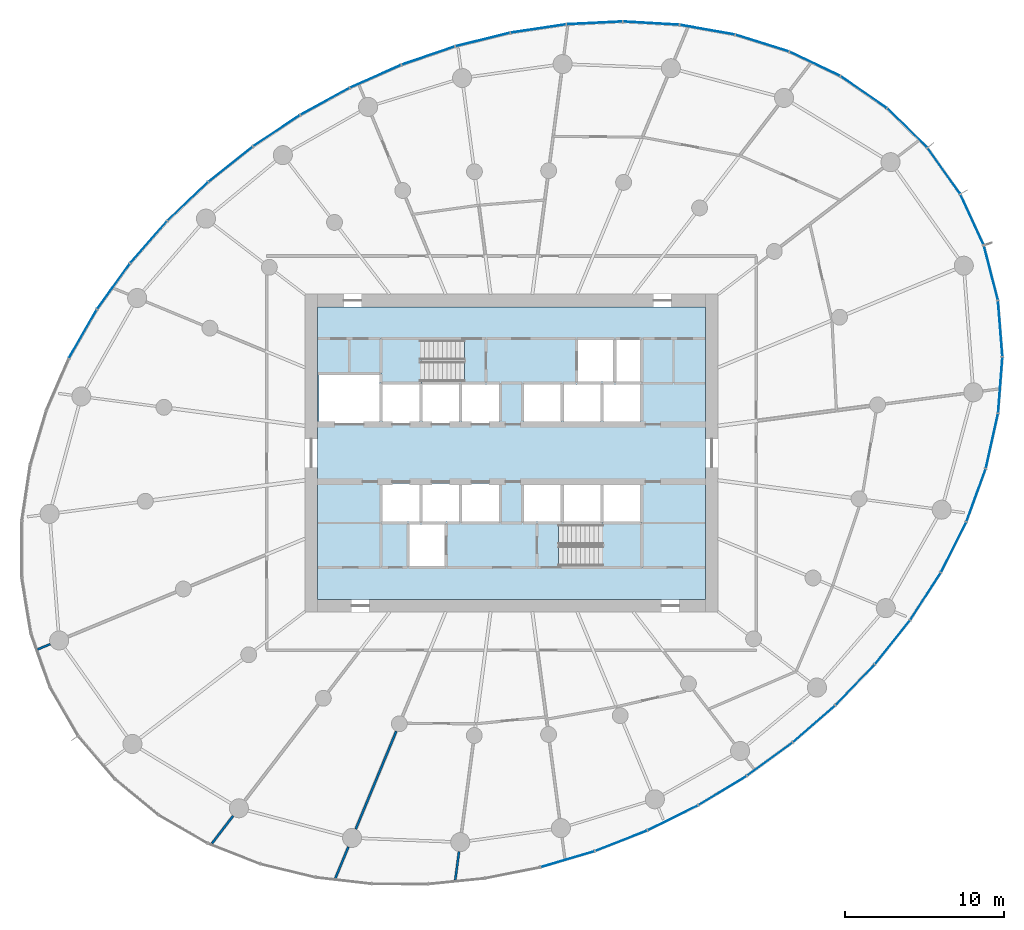
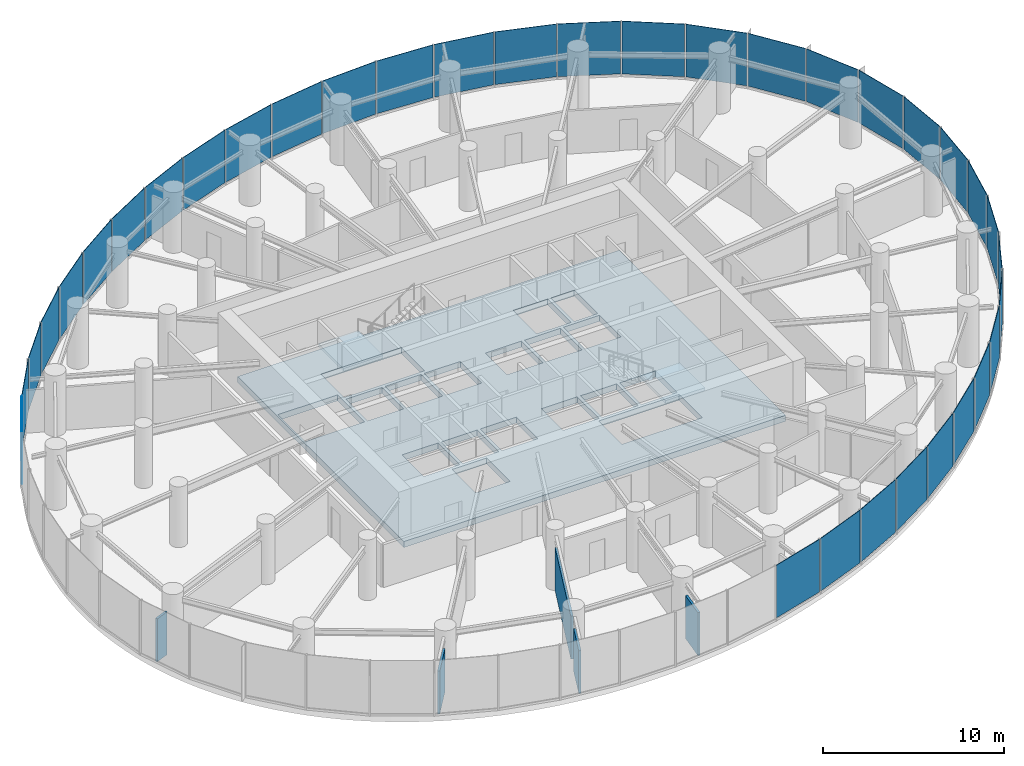
# One storey, part 9 of 17: 35 plates, 5 walls, 3 slabs, 10 elements without a shape of their own.
"""IFC4 building model written with IfcOpenShell, lengths in metres."""

import ifcopenshell
import ifcopenshell.guid

model = None  # the IFC model being written
_history = None  # IfcOwnerHistory: only IFC2X3 demands one
_inside = {}  # id of a spatial element -> (the spatial element, [elements in it])
_under = {}  # id of a project, library or spatial element -> (it, [spatial elements below it])
_declared = {}  # id of a project -> (the project, [libraries it declares])
_typed = {}  # id of a type object -> (the type object, [elements of that type])
_made_of = {}  # id of a material, layer set ... -> (it, [elements and type objects made of it])


def new_model(schema):
    """Start an empty IFC model of exactly this schema.

    Asked for "IFC4X3", IfcOpenShell would pick the latest addendum, in which some entities
    have other attributes; the version numbers below select the first issue.
    IFC2X3 requires an IfcOwnerHistory on every rooted entity: one is made here for all.
    """
    global model, _history
    if schema == "IFC4X3":
        model = ifcopenshell.file(schema_version=(4, 3, 0, 0))
    else:
        model = ifcopenshell.file(schema=schema)
    _inside.clear()
    _under.clear()
    _declared.clear()
    _typed.clear()
    _made_of.clear()
    _history = None
    if model.schema == "IFC2X3":
        org = make("IfcOrganization", Name="unknown")
        user = make(
            "IfcPersonAndOrganization",
            ThePerson=make("IfcPerson", FamilyName="unknown"),
            TheOrganization=org,
        )
        app = make(
            "IfcApplication",
            ApplicationDeveloper=org,
            Version="unknown",
            ApplicationFullName="unknown",
            ApplicationIdentifier="unknown",
        )
        _history = make(
            "IfcOwnerHistory",
            OwningUser=user,
            OwningApplication=app,
            ChangeAction="ADDED",
            CreationDate=0,
        )
    return model


def make(cls, **values):
    """One entity of the class cls with the attributes given. An attribute that is None is left unset."""
    return model.create_entity(
        cls, **{name: value for name, value in values.items() if value is not None}
    )


def rooted(cls, **values):
    """An entity with a GlobalId (a new one), such as an element, a storey or a relation."""
    return make(cls, GlobalId=ifcopenshell.guid.new(), OwnerHistory=_history, **values)


def si_unit(unit_type, name, prefix=None):
    """IfcSIUnit, for example si_unit("LENGTHUNIT", "METRE", prefix="MILLI")."""
    return make("IfcSIUnit", UnitType=unit_type, Prefix=prefix, Name=name)


def assignment(units):
    """IfcUnitAssignment: the units of a project."""
    return None if units is None else make("IfcUnitAssignment", Units=units)


def point(xyz):
    """IfcCartesianPoint."""
    return None if xyz is None else make("IfcCartesianPoint", Coordinates=xyz)


def direction(xyz):
    """IfcDirection."""
    return None if xyz is None else make("IfcDirection", DirectionRatios=xyz)


def frame(location, z_axis=None, x_axis=None):
    """IfcAxis2Placement3D, a coordinate frame: its origin and axes. An axis left out is left unset."""
    return make(
        "IfcAxis2Placement3D",
        Location=point(location),
        Axis=direction(z_axis),
        RefDirection=direction(x_axis),
    )


def frame_2d(location, x_axis=None):
    """IfcAxis2Placement2D, a coordinate frame in the plane: its origin and x axis."""
    return make(
        "IfcAxis2Placement2D", Location=point(location), RefDirection=direction(x_axis)
    )


def origin():
    """The frame at (0, 0, 0) with its axes left unset."""
    return frame((0.0, 0.0, 0.0))


def origin_2d():
    """The frame at (0, 0) in the plane with its x axis left unset."""
    return frame_2d((0.0, 0.0))


def place(relative_to, where):
    """IfcLocalPlacement: puts the frame where relative to a parent placement (None: the world)."""
    return make(
        "IfcLocalPlacement", PlacementRelTo=relative_to, RelativePlacement=where
    )


def context(
    kind, dimensions, precision=None, world=None, true_north=None, identifier=None
):
    """IfcGeometricRepresentationContext, for example the 3D "Model" context."""
    return make(
        "IfcGeometricRepresentationContext",
        ContextIdentifier=identifier,
        ContextType=kind,
        CoordinateSpaceDimension=dimensions,
        Precision=precision,
        WorldCoordinateSystem=world,
        TrueNorth=true_north,
    )


def subcontext(parent, identifier, kind, view, scale=None):
    """IfcGeometricRepresentationSubContext, for example "Body" below "Model"."""
    return make(
        "IfcGeometricRepresentationSubContext",
        ContextIdentifier=identifier,
        ContextType=kind,
        ParentContext=parent,
        TargetScale=scale,
        TargetView=view,
    )


def project(units=None, contexts=None):
    """IfcProject with its units and contexts."""
    return rooted(
        "IfcProject",
        Name="project",
        RepresentationContexts=contexts,
        UnitsInContext=assignment(units),
    )


def spatial(cls, under=None, at=None, **own):
    """A site, building, storey or space (cls), placed at a placement, below another one or the project."""
    s = rooted(cls, ObjectPlacement=at, **own)
    if under is not None:
        _under.setdefault(under.id(), (under, []))[1].append(s)
    return s


def point_list(points):
    """IfcCartesianPointList2D or 3D."""
    cls = (
        "IfcCartesianPointList2D" if len(points[0]) == 2 else "IfcCartesianPointList3D"
    )
    return make(cls, CoordList=points)


def line(*indices):
    """IfcLineIndex: a straight run through numbered points of an indexed curve."""
    return model.create_entity("IfcLineIndex", indices)


def indexed_curve(points, segments=None, self_intersect=None):
    """IfcIndexedPolyCurve: lines and arcs through numbered points (the first is 1)."""
    return make(
        "IfcIndexedPolyCurve",
        Points=point_list(points),
        Segments=segments,
        SelfIntersect=self_intersect,
    )


def profile(cls, at=None, kind="AREA", **sizes):
    """A parametric profile (cls). Its sizes go by their IFC names, for example OverallWidth=200.0."""
    return make(cls, ProfileType=kind, Position=at, **sizes)


def rectangle(**sizes):
    """IfcRectangleProfileDef."""
    return profile("IfcRectangleProfileDef", **sizes)


def outline(outer, holes=None, kind="AREA"):
    """IfcArbitraryClosedProfileDef: a profile drawn as a closed curve; with holes, ...WithVoids."""
    if holes is None:
        return make("IfcArbitraryClosedProfileDef", ProfileType=kind, OuterCurve=outer)
    return make(
        "IfcArbitraryProfileDefWithVoids",
        ProfileType=kind,
        OuterCurve=outer,
        InnerCurves=holes,
    )


def extrude(swept, where, along, depth):
    """IfcExtrudedAreaSolid: the profile swept, set in the frame where, extruded along a direction by depth."""
    return make(
        "IfcExtrudedAreaSolid",
        SweptArea=swept,
        Position=where,
        ExtrudedDirection=direction(along),
        Depth=depth,
    )


def shape(context_of_items, identifier, shape_type, items):
    """IfcShapeRepresentation: the items that make up one representation, for example the "Body"."""
    return make(
        "IfcShapeRepresentation",
        ContextOfItems=context_of_items,
        RepresentationIdentifier=identifier,
        RepresentationType=shape_type,
        Items=items,
    )


def source(mapping_origin, context_of_items, identifier, shape_type, items):
    """IfcRepresentationMap: a shape defined once, which mapped items show again and again."""
    return make(
        "IfcRepresentationMap",
        MappingOrigin=mapping_origin,
        MappedRepresentation=shape(context_of_items, identifier, shape_type, items),
    )


def transform(
    local_origin,
    x_axis=None,
    y_axis=None,
    z_axis=None,
    scale=None,
    scale2=None,
    scale3=None,
    uniform=True,
):
    """IfcCartesianTransformationOperator3D, or its non-uniform kind. x_axis, y_axis, z_axis: its Axis1, 2, 3."""
    if uniform:
        return make(
            "IfcCartesianTransformationOperator3D",
            Axis1=direction(x_axis),
            Axis2=direction(y_axis),
            LocalOrigin=point(local_origin),
            Scale=scale,
            Axis3=direction(z_axis),
        )
    return make(
        "IfcCartesianTransformationOperator3DnonUniform",
        Axis1=direction(x_axis),
        Axis2=direction(y_axis),
        LocalOrigin=point(local_origin),
        Scale=scale,
        Axis3=direction(z_axis),
        Scale2=scale2,
        Scale3=scale3,
    )


def mapped(mapping_source, mapping_target):
    """IfcMappedItem: shows the shape of a source again, moved by a transform."""
    return make(
        "IfcMappedItem", MappingSource=mapping_source, MappingTarget=mapping_target
    )


def material(Name=None, Category=None):
    """IfcMaterial."""
    return make("IfcMaterial", Name=Name, Category=Category)


def layer(
    of_material, thickness, ventilated=None, Name=None, Category=None, Priority=None
):
    """IfcMaterialLayer: one layer of a wall or slab, of a material (None: an air gap)."""
    return make(
        "IfcMaterialLayer",
        Material=of_material,
        LayerThickness=thickness,
        IsVentilated=ventilated,
        Name=Name,
        Category=Category,
        Priority=Priority,
    )


def layer_set(layers, Name=None):
    """IfcMaterialLayerSet."""
    return make("IfcMaterialLayerSet", MaterialLayers=layers, LayerSetName=Name)


def made_of(thing, what):
    """Note that an element or type object is made of a material, layer set ...; save() writes the relation."""
    if what is not None:
        _made_of.setdefault(what.id(), (what, []))[1].append(thing)
    return thing


def type_object(cls, material=None, **own):
    """A type object (cls), such as IfcWallType, which elements share."""
    return made_of(rooted(cls, **own), material)


def element(
    cls,
    number,
    at=None,
    inside=None,
    cuts=None,
    type_object=None,
    material=None,
    context=None,
    identifier="Body",
    shape_type=None,
    held_by="IfcProductDefinitionShape",
    body=None,
    shapes=None,
    **own,
):
    """One element of the class cls, such as IfcWall. Its Tag is "e" and its number.

    at: its placement. inside: the storey or other place that contains it. cuts: it is an
    opening in that element (IfcRelVoidsElement). A single representation is given by context,
    identifier, shape_type and body (its items); several are given by shapes. held_by: the class
    of the entity that holds the representations. save() writes the other relations.
    """
    e = rooted(cls, Tag="e%d" % number, ObjectPlacement=at, **own)
    if body is not None:
        shapes = [shape(context, identifier, shape_type, body)]
    if shapes is not None:
        e.Representation = make(held_by, Representations=shapes)
    if inside is not None:
        _inside.setdefault(inside.id(), (inside, []))[1].append(e)
    if cuts is not None:
        rooted(
            "IfcRelVoidsElement", RelatingBuildingElement=cuts, RelatedOpeningElement=e
        )
    if type_object is not None:
        _typed.setdefault(type_object.id(), (type_object, []))[1].append(e)
    return made_of(e, material)


def aggregate(whole, parts):
    """IfcRelAggregates: a whole, such as a stair, and the parts it consists of."""
    return rooted("IfcRelAggregates", RelatingObject=whole, RelatedObjects=parts)


def save(model, path):
    """Write the relations noted so far, then the file.

    IfcRelAggregates (storeys below a building ...), IfcRelContainedInSpatialStructure (elements
    in a storey), IfcRelDefinesByType, IfcRelAssociatesMaterial and IfcRelDeclares: one each for
    every whole, place, type object, material and project.
    """
    for whole, parts in _under.values():
        aggregate(whole, parts)
    for where, things in _inside.values():
        rooted(
            "IfcRelContainedInSpatialStructure",
            RelatedElements=things,
            RelatingStructure=where,
        )
    for kind, things in _typed.values():
        rooted("IfcRelDefinesByType", RelatedObjects=things, RelatingType=kind)
    for what, things in _made_of.values():
        rooted("IfcRelAssociatesMaterial", RelatedObjects=things, RelatingMaterial=what)
    for by, libraries in _declared.values():
        rooted("IfcRelDeclares", RelatingContext=by, RelatedDefinitions=libraries)
    model.write(path)


model = new_model("IFC4")

# Units and contexts
model_context = context("Model", 3, precision=1e-05, world=origin(), true_north=direction((0.0, 1.0)))
body_context = subcontext(model_context, "Body", "Model", "MODEL_VIEW")
ifc_project = project(units=[si_unit("LENGTHUNIT", "METRE"), si_unit("AREAUNIT", "SQUARE_METRE"), si_unit("VOLUMEUNIT", "CUBIC_METRE"), si_unit("PLANEANGLEUNIT", "RADIAN"), si_unit("MASSUNIT", "GRAM", prefix="KILO")], contexts=[model_context])

# Site, building, storey
site_placement = place(None, origin())
site = spatial("IfcSite", under=ifc_project, at=site_placement, CompositionType="ELEMENT")
building_placement = place(site_placement, origin())
building = spatial("IfcBuilding", under=site, at=building_placement, Name="Spindrift Exchange Tower", CompositionType="ELEMENT")
storey_placement = place(building_placement, frame((0.0, 0.0, 120.800048828125)))
storey = spatial("IfcBuildingStorey", under=building, at=storey_placement, Name="L28", CompositionType="ELEMENT", Elevation=120.800048828125)

# Slab
ifc_material_1 = material(Name="Concrete 50 MPa", Category="concrete")
ifc_layer_1 = layer(ifc_material_1, 0.39990234375)
ifc_layer_set_1 = layer_set([ifc_layer_1], Name="SL-CORE-FLOOR-400")
slab_type_1 = type_object("IfcSlabType", Name="SL-CORE-FLOOR-400", PredefinedType="FLOOR", material=ifc_layer_set_1)
slab_1_placement = place(storey_placement, frame((0.0, 0.0, -0.400146484375)))
element("IfcSlab", 1, at=slab_1_placement, inside=storey, type_object=slab_type_1, Name="L28 Core floor slab", PredefinedType="FLOOR", context=body_context, shape_type="SweptSolid", body=[
    extrude(outline(indexed_curve([(39.800048828125, 38.800048828125), (39.800048828125, 57.199951171875), (64.199951171875, 57.199951171875), (64.199951171875, 38.800048828125)], segments=[line(1, 2, 3, 4, 1)], self_intersect=False), holes=[indexed_curve([(47.800048828125, 43.5), (45.60009765625, 43.5), (45.60009765625, 40.89990234375), (47.800048828125, 40.89990234375)], segments=[line(1, 2, 3, 4, 1)], self_intersect=False), indexed_curve([(46.199951171875, 46.10009765625), (43.89990234375, 46.10009765625), (43.89990234375, 43.699951171875), (46.199951171875, 43.699951171875)], segments=[line(1, 2, 3, 4, 1)], self_intersect=False), indexed_curve([(48.699951171875, 46.10009765625), (46.39990234375, 46.10009765625), (46.39990234375, 43.699951171875), (48.699951171875, 43.699951171875)], segments=[line(1, 2, 3, 4, 1)], self_intersect=False), indexed_curve([(51.199951171875, 46.10009765625), (48.89990234375, 46.10009765625), (48.89990234375, 43.699951171875), (51.199951171875, 43.699951171875)], segments=[line(1, 2, 3, 4, 1)], self_intersect=False), indexed_curve([(46.199951171875, 52.300048828125), (43.89990234375, 52.300048828125), (43.89990234375, 49.89990234375), (46.199951171875, 49.89990234375)], segments=[line(1, 2, 3, 4, 1)], self_intersect=False), indexed_curve([(48.699951171875, 52.300048828125), (46.39990234375, 52.300048828125), (46.39990234375, 49.89990234375), (48.699951171875, 49.89990234375)], segments=[line(1, 2, 3, 4, 1)], self_intersect=False), indexed_curve([(51.199951171875, 52.300048828125), (48.89990234375, 52.300048828125), (48.89990234375, 49.89990234375), (51.199951171875, 49.89990234375)], segments=[line(1, 2, 3, 4, 1)], self_intersect=False), indexed_curve([(43.699951171875, 49.89990234375), (43.699951171875, 52.89990234375), (39.89990234375, 52.89990234375), (39.89990234375, 49.89990234375)], segments=[line(1, 2, 3, 4, 1)], self_intersect=False), indexed_curve([(49.0439453125, 55.093994140625), (43.906005859375, 55.093994140625), (43.906005859375, 52.506103515625), (49.0439453125, 52.506103515625)], segments=[line(1, 2, 3, 4, 1)], self_intersect=False), indexed_curve([(60.093994140625, 40.906005859375), (60.093994140625, 43.493896484375), (54.9560546875, 43.493896484375), (54.9560546875, 40.906005859375)], segments=[line(1, 2, 3, 4, 1)], self_intersect=False), indexed_curve([(55.10009765625, 46.10009765625), (52.800048828125, 46.10009765625), (52.800048828125, 43.699951171875), (55.10009765625, 43.699951171875)], segments=[line(1, 2, 3, 4, 1)], self_intersect=False), indexed_curve([(57.60009765625, 46.10009765625), (55.300048828125, 46.10009765625), (55.300048828125, 43.699951171875), (57.60009765625, 43.699951171875)], segments=[line(1, 2, 3, 4, 1)], self_intersect=False), indexed_curve([(60.10009765625, 46.10009765625), (57.800048828125, 46.10009765625), (57.800048828125, 43.699951171875), (60.10009765625, 43.699951171875)], segments=[line(1, 2, 3, 4, 1)], self_intersect=False), indexed_curve([(55.10009765625, 52.300048828125), (52.800048828125, 52.300048828125), (52.800048828125, 49.89990234375), (55.10009765625, 49.89990234375)], segments=[line(1, 2, 3, 4, 1)], self_intersect=False), indexed_curve([(57.60009765625, 52.300048828125), (55.300048828125, 52.300048828125), (55.300048828125, 49.89990234375), (57.60009765625, 49.89990234375)], segments=[line(1, 2, 3, 4, 1)], self_intersect=False), indexed_curve([(60.10009765625, 52.300048828125), (57.800048828125, 52.300048828125), (57.800048828125, 49.89990234375), (60.10009765625, 49.89990234375)], segments=[line(1, 2, 3, 4, 1)], self_intersect=False), indexed_curve([(58.39990234375, 52.5), (58.39990234375, 55.10009765625), (56.199951171875, 55.10009765625), (56.199951171875, 52.5)], segments=[line(1, 2, 3, 4, 1)], self_intersect=False), indexed_curve([(60.10009765625, 52.5), (60.10009765625, 55.10009765625), (58.60009765625, 55.10009765625), (58.60009765625, 52.5)], segments=[line(1, 2, 3, 4, 1)], self_intersect=False)]), origin(), (0.0, 0.0, 1.0), 0.400146484375),
])

# Stair, slab
stair_type = type_object("IfcStairType", Name="ST-1250-R186", PredefinedType="HALF_TURN_STAIR", material=ifc_material_1)
stair_1_placement = place(storey_placement, origin())
stair_1 = element("IfcStair", 2, at=stair_1_placement, inside=storey, type_object=stair_type, Name="L28 Exit stair ST1", PredefinedType="HALF_TURN_STAIR")
ifc_layer_2 = layer(ifc_material_1, 0.199951171875)
ifc_layer_set_2 = layer_set([ifc_layer_2], Name="SL-LANDING")
slab_type_2 = type_object("IfcSlabType", Name="SL-LANDING", PredefinedType="LANDING", material=ifc_layer_set_2)
slab_2_placement = place(storey_placement, frame((0.0, 0.0, 1.849853515625)))
slab_2 = element("IfcSlab", 3, at=slab_2_placement, type_object=slab_type_2, Name="ST1 landing 1", PredefinedType="LANDING", context=body_context, shape_type="SweptSolid", body=[
    extrude(outline(indexed_curve([(46.330078125, 52.39990234375), (43.800048828125, 52.39990234375), (43.800048828125, 55.199951171875), (46.330078125, 55.199951171875)], segments=[line(1, 2, 3, 4, 1)], self_intersect=False)), origin(), (0.0, 0.0, 1.0), 0.2001953125),
])
aggregate(stair_1, [slab_2])

stair_2_placement = place(storey_placement, origin())
stair_2 = element("IfcStair", 4, at=stair_2_placement, inside=storey, type_object=stair_type, Name="L28 Exit stair ST2", PredefinedType="HALF_TURN_STAIR")
slab_3_placement = place(storey_placement, frame((0.0, 0.0, 1.849853515625)))
slab_3 = element("IfcSlab", 5, at=slab_3_placement, type_object=slab_type_2, Name="ST2 landing 1", PredefinedType="LANDING", context=body_context, shape_type="SweptSolid", body=[
    extrude(outline(indexed_curve([(57.669921875, 43.60009765625), (60.199951171875, 43.60009765625), (60.199951171875, 40.800048828125), (57.669921875, 40.800048828125)], segments=[line(1, 2, 3, 4, 1)], self_intersect=False)), origin(), (0.0, 0.0, 1.0), 0.2001953125),
])
aggregate(stair_2, [slab_3])

# Curtain wall, plate
ifc_material_2 = material(Name="Fritted laminated glass with bronze frame", Category="glass")
ifc_layer_3 = layer(ifc_material_2, 0.18994140625)
ifc_layer_set_3 = layer_set([ifc_layer_3], Name="ZONE 2 BRONZE FRITTED WALL")
curtain_wall_type = type_object("IfcCurtainWallType", Name="ZONE 2 BRONZE FRITTED WALL", PredefinedType="NOTDEFINED", material=ifc_layer_set_3)
curtain_wall_1_placement = place(storey_placement, origin())
curtain_wall_1 = element("IfcCurtainWall", 6, at=curtain_wall_1_placement, inside=storey, type_object=curtain_wall_type, Name="L28 Zone 2 Bronze Fritted Wall run 2", PredefinedType="NOTDEFINED")
ifc_material_3 = material(Name="Bronze fritted laminated glass, close frit", Category="glass")
ifc_layer_4 = layer(ifc_material_3, 0.033935546875)
ifc_layer_set_4 = layer_set([ifc_layer_4], Name="ZONE 2 BRONZE FRITTED WALL PANEL CLOSE FRIT 420")
plate_type_1 = type_object("IfcPlateType", Name="ZONE 2 BRONZE FRITTED WALL PANEL CLOSE FRIT 420", PredefinedType="CURTAIN_PANEL", material=ifc_layer_set_4)
shared_shape_1 = source(origin(), body_context, "Body", "SweptSolid", [
    extrude(rectangle(XDim=3.491455078125, YDim=0.033935546875, at=origin_2d()), origin(), (0.0, 0.0, 1.0), 3.56005859375),
])
plate_1_placement = place(storey_placement, frame((50.18798828125, 74.016845703125, 0.139892578125), z_axis=(0.0, 0.0, 1.0), x_axis=(-0.970769287011, -0.240014564966, 0.0)))
plate_1 = element("IfcPlate", 7, at=plate_1_placement, type_object=plate_type_1, Name="L28 panel CW-2.10", PredefinedType="CURTAIN_PANEL", context=body_context, shape_type="MappedRepresentation", body=[
    mapped(shared_shape_1, transform((0.0, 0.0, 0.0), scale=1.0)),
])

curtain_wall_2_placement = place(storey_placement, origin())
curtain_wall_2 = element("IfcCurtainWall", 8, at=curtain_wall_2_placement, inside=storey, type_object=curtain_wall_type, Name="L28 Zone 2 Bronze Fritted Wall run 3", PredefinedType="NOTDEFINED")
plate_2_placement = place(storey_placement, frame((29.17431640625, 61.27294921875, 0.139892578125), z_axis=(0.0, 0.0, 1.0), x_axis=(-0.659566237699, -0.751646444872, 0.0)))
plate_2 = element("IfcPlate", 9, at=plate_2_placement, type_object=plate_type_1, Name="L28 panel CW-2.17", PredefinedType="CURTAIN_PANEL", context=body_context, shape_type="MappedRepresentation", body=[
    mapped(shared_shape_1, transform((0.0, 0.0, 0.0), scale=1.0)),
])

curtain_wall_3_placement = place(storey_placement, origin())
curtain_wall_3 = element("IfcCurtainWall", 10, at=curtain_wall_3_placement, inside=storey, type_object=curtain_wall_type, Name="L28 Zone 2 Bronze Fritted Wall run 7", PredefinedType="NOTDEFINED")
ifc_layer_5 = layer(ifc_material_3, 0.033935546875)
ifc_layer_set_5 = layer_set([ifc_layer_5], Name="ZONE 2 BRONZE FRITTED WALL PANEL CLOSE FRIT 300")
plate_type_2 = type_object("IfcPlateType", Name="ZONE 2 BRONZE FRITTED WALL PANEL CLOSE FRIT 300", PredefinedType="CURTAIN_PANEL", material=ifc_layer_set_5)
shared_shape_2 = source(origin(), body_context, "Body", "SweptSolid", [
    extrude(rectangle(XDim=3.491455078125, YDim=0.033935546875, at=origin_2d()), origin(), (0.0, 0.0, 1.0), 3.56005859375),
])
plate_3_placement = place(storey_placement, frame((73.620361328125, 33.414794921875, 0.139892578125), z_axis=(0.0, 0.0, 1.0), x_axis=(0.693506201711, 0.720450656317, 0.0)))
plate_3 = element("IfcPlate", 11, at=plate_3_placement, type_object=plate_type_2, Name="L28 panel CW-2.42", PredefinedType="CURTAIN_PANEL", context=body_context, shape_type="MappedRepresentation", body=[
    mapped(shared_shape_2, transform((0.0, 0.0, 0.0), scale=1.0)),
])

# Plate
shared_shape_3 = source(origin(), body_context, "Body", "SweptSolid", [
    extrude(rectangle(XDim=3.49169921875, YDim=0.033935546875, at=origin_2d()), origin(), (0.0, 0.0, 1.0), 3.56005859375),
])
plate_4_placement = place(storey_placement, frame((37.21337890625, 68.276611328125, 0.139892578125), z_axis=(0.0, 0.0, 1.0), x_axis=(-0.832778267056, -0.553606681606, 0.0)))
plate_4 = element("IfcPlate", 12, at=plate_4_placement, type_object=plate_type_1, Name="L28 panel CW-2.14", PredefinedType="CURTAIN_PANEL", context=body_context, shape_type="MappedRepresentation", body=[
    mapped(shared_shape_3, transform((0.0, 0.0, 0.0), scale=1.0)),
])

plate_5_placement = place(storey_placement, frame((34.332763671875, 66.17919921875, 0.139892578125), z_axis=(0.0, 0.0, 1.0), x_axis=(-0.782608156852, -0.622514636638, 0.0)))
plate_5 = element("IfcPlate", 13, at=plate_5_placement, type_object=plate_type_1, Name="L28 panel CW-2.15", PredefinedType="CURTAIN_PANEL", context=body_context, shape_type="MappedRepresentation", body=[
    mapped(shared_shape_3, transform((0.0, 0.0, 0.0), scale=1.0)),
])

# Curtain wall, plate
curtain_wall_4_placement = place(storey_placement, origin())
curtain_wall_4 = element("IfcCurtainWall", 14, at=curtain_wall_4_placement, inside=storey, type_object=curtain_wall_type, Name="L28 Zone 2 Bronze Fritted Wall run 6", PredefinedType="NOTDEFINED")
plate_6_placement = place(storey_placement, frame((55.53173828125, 22.44921875, 0.139892578125), z_axis=(0.0, 0.0, 1.0), x_axis=(0.958982662183, 0.283464730844, 0.0)))
plate_6 = element("IfcPlate", 15, at=plate_6_placement, type_object=plate_type_1, Name="L28 panel CW-2.36", PredefinedType="CURTAIN_PANEL", context=body_context, shape_type="MappedRepresentation", body=[
    mapped(shared_shape_3, transform((0.0, 0.0, 0.0), scale=1.0)),
])
aggregate(curtain_wall_4, [plate_6])

# Plate
plate_7_placement = place(storey_placement, frame((58.9013671875, 23.607666015625, 0.139892578125), z_axis=(0.0, 0.0, 1.0), x_axis=(0.930560142872, 0.36613907262, 0.0)))
plate_7 = element("IfcPlate", 16, at=plate_7_placement, type_object=plate_type_1, Name="L28 panel CW-2.37", PredefinedType="CURTAIN_PANEL", context=body_context, shape_type="MappedRepresentation", body=[
    mapped(shared_shape_3, transform((0.0, 0.0, 0.0), scale=1.0)),
])

plate_8_placement = place(storey_placement, frame((62.15869140625, 25.052490234375, 0.139892578125), z_axis=(0.0, 0.0, 1.0), x_axis=(0.895974679235, 0.444105138643, 0.0)))
plate_8 = element("IfcPlate", 17, at=plate_8_placement, type_object=plate_type_1, Name="L28 panel CW-2.38", PredefinedType="CURTAIN_PANEL", context=body_context, shape_type="MappedRepresentation", body=[
    mapped(shared_shape_3, transform((0.0, 0.0, 0.0), scale=1.0)),
])

plate_9_placement = place(storey_placement, frame((65.281982421875, 26.768310546875, 0.139892578125), z_axis=(0.0, 0.0, 1.0), x_axis=(0.855400423184, 0.51796729242, 0.0)))
plate_9 = element("IfcPlate", 18, at=plate_9_placement, type_object=plate_type_1, Name="L28 panel CW-2.39", PredefinedType="CURTAIN_PANEL", context=body_context, shape_type="MappedRepresentation", body=[
    mapped(shared_shape_3, transform((0.0, 0.0, 0.0), scale=1.0)),
])

plate_10_placement = place(storey_placement, frame((68.24951171875, 28.741455078125, 0.139892578125), z_axis=(0.0, 0.0, 1.0), x_axis=(0.808537640301, 0.588444461455, 0.0)))
plate_10 = element("IfcPlate", 19, at=plate_10_placement, type_object=plate_type_1, Name="L28 panel CW-2.40", PredefinedType="CURTAIN_PANEL", context=body_context, shape_type="MappedRepresentation", body=[
    mapped(shared_shape_3, transform((0.0, 0.0, 0.0), scale=1.0)),
])

shared_shape_4 = source(origin(), body_context, "Body", "SweptSolid", [
    extrude(rectangle(XDim=3.49169921875, YDim=0.033935546875, at=origin_2d()), origin(), (0.0, 0.0, 1.0), 3.56005859375),
])
plate_11_placement = place(storey_placement, frame((40.261474609375, 70.12255859375, 0.139892578125), z_axis=(0.0, 0.0, 1.0), x_axis=(-0.876440336486, -0.481510474009, 0.0)))
plate_11 = element("IfcPlate", 20, at=plate_11_placement, type_object=plate_type_2, Name="L28 panel CW-2.13", PredefinedType="CURTAIN_PANEL", context=body_context, shape_type="MappedRepresentation", body=[
    mapped(shared_shape_4, transform((0.0, 0.0, 0.0), scale=1.0)),
])

plate_12_placement = place(storey_placement, frame((31.643798828125, 63.841064453125, 0.139892578125), z_axis=(0.0, 0.0, 1.0), x_axis=(-0.725206152607, -0.688531797538, 0.0)))
plate_12 = element("IfcPlate", 21, at=plate_12_placement, type_object=plate_type_2, Name="L28 panel CW-2.16", PredefinedType="CURTAIN_PANEL", context=body_context, shape_type="MappedRepresentation", body=[
    mapped(shared_shape_4, transform((0.0, 0.0, 0.0), scale=1.0)),
])

ifc_layer_6 = layer(ifc_material_3, 0.033935546875)
ifc_layer_set_6 = layer_set([ifc_layer_6], Name="ZONE 2 BRONZE FRITTED WALL PANEL CLOSE FRIT 540")
plate_type_3 = type_object("IfcPlateType", Name="ZONE 2 BRONZE FRITTED WALL PANEL CLOSE FRIT 540", PredefinedType="CURTAIN_PANEL", material=ifc_layer_set_6)
shared_shape_5 = source(origin(), body_context, "Body", "SweptSolid", [
    extrude(rectangle(XDim=3.49169921875, YDim=0.033935546875, at=origin_2d()), origin(), (0.0, 0.0, 1.0), 3.56005859375),
])
plate_13_placement = place(storey_placement, frame((46.770751953125, 73.008544921875, 0.139892578125), z_axis=(0.0, 0.0, 1.0), x_axis=(-0.945557208147, -0.325455935761, 0.0)))
plate_13 = element("IfcPlate", 22, at=plate_13_placement, type_object=plate_type_3, Name="L28 panel CW-2.11", PredefinedType="CURTAIN_PANEL", context=body_context, shape_type="MappedRepresentation", body=[
    mapped(shared_shape_5, transform((0.0, 0.0, 0.0), scale=1.0)),
])

plate_14_placement = place(storey_placement, frame((43.45458984375, 71.70458984375, 0.139892578125), z_axis=(0.0, 0.0, 1.0), x_axis=(-0.914018334717, -0.405672877823, 0.0)))
plate_14 = element("IfcPlate", 23, at=plate_14_placement, type_object=plate_type_3, Name="L28 panel CW-2.12", PredefinedType="CURTAIN_PANEL", context=body_context, shape_type="MappedRepresentation", body=[
    mapped(shared_shape_5, transform((0.0, 0.0, 0.0), scale=1.0)),
])

plate_15_placement = place(storey_placement, frame((71.03759765625, 30.96044921875, 0.139892578125), z_axis=(0.0, 0.0, 1.0), x_axis=(0.754859560606, 0.655886456456, 0.0)))
plate_15 = element("IfcPlate", 24, at=plate_15_placement, type_object=plate_type_3, Name="L28 panel CW-2.41", PredefinedType="CURTAIN_PANEL", context=body_context, shape_type="MappedRepresentation", body=[
    mapped(shared_shape_5, transform((0.0, 0.0, 0.0), scale=1.0)),
])

aggregate(curtain_wall_3, [plate_7, plate_8, plate_9, plate_10, plate_15, plate_3])

shared_shape_6 = source(origin(), body_context, "Body", "SweptSolid", [
    extrude(rectangle(XDim=3.4912109375, YDim=0.033935546875, at=origin_2d()), origin(), (0.0, 0.0, 1.0), 3.56005859375),
])
plate_16_placement = place(storey_placement, frame((57.22705078125, 75.062255859375, 0.139892578125), z_axis=(0.0, 0.0, 1.0), x_axis=(-0.998777232314, -0.049437235069, 0.0)))
plate_16 = element("IfcPlate", 25, at=plate_16_placement, type_object=plate_type_2, Name="L28 panel CW-2.8", PredefinedType="CURTAIN_PANEL", context=body_context, shape_type="MappedRepresentation", body=[
    mapped(shared_shape_6, transform((0.0, 0.0, 0.0), scale=1.0)),
])

# Curtain wall, plates
curtain_wall_5_placement = place(storey_placement, origin())
curtain_wall_5 = element("IfcCurtainWall", 26, at=curtain_wall_5_placement, inside=storey, type_object=curtain_wall_type, Name="L28 Zone 2 Bronze Fritted Wall run 8", PredefinedType="NOTDEFINED")
plate_17_placement = place(storey_placement, frame((78.047119140625, 38.986572265625, 0.139892578125), z_axis=(0.0, 0.0, 1.0), x_axis=(0.542507515783, 0.840050948049, 0.0)))
plate_17 = element("IfcPlate", 27, at=plate_17_placement, type_object=plate_type_2, Name="L28 panel CW-2.44", PredefinedType="CURTAIN_PANEL", context=body_context, shape_type="MappedRepresentation", body=[
    mapped(shared_shape_6, transform((0.0, 0.0, 0.0), scale=1.0)),
])
shared_shape_7 = source(origin(), body_context, "Body", "SweptSolid", [
    extrude(rectangle(XDim=3.4912109375, YDim=0.033935546875, at=origin_2d()), origin(), (0.0, 0.0, 1.0), 3.56005859375),
])
plate_18_placement = place(storey_placement, frame((75.96826171875, 36.093994140625, 0.139892578125), z_axis=(0.0, 0.0, 1.0), x_axis=(0.623223287871, 0.782043945987, 0.0)))
plate_18 = element("IfcPlate", 28, at=plate_18_placement, type_object=plate_type_3, Name="L28 panel CW-2.43", PredefinedType="CURTAIN_PANEL", context=body_context, shape_type="MappedRepresentation", body=[
    mapped(shared_shape_7, transform((0.0, 0.0, 0.0), scale=1.0)),
])
shared_shape_8 = source(origin(), body_context, "Body", "SweptSolid", [
    extrude(rectangle(XDim=3.49072265625, YDim=0.033935546875, at=origin_2d()), origin(), (0.0, 0.0, 1.0), 3.56005859375),
])
plate_19_placement = place(storey_placement, frame((79.815673828125, 42.0771484375, 0.139892578125), z_axis=(0.0, 0.0, 1.0), x_axis=(0.449432818556, 0.893314133777, 0.0)))
plate_19 = element("IfcPlate", 29, at=plate_19_placement, type_object=plate_type_1, Name="L28 panel CW-2.45", PredefinedType="CURTAIN_PANEL", context=body_context, shape_type="MappedRepresentation", body=[
    mapped(shared_shape_8, transform((0.0, 0.0, 0.0), scale=1.0)),
])

# Curtain wall, plate
curtain_wall_6_placement = place(storey_placement, origin())
curtain_wall_6 = element("IfcCurtainWall", 30, at=curtain_wall_6_placement, inside=storey, type_object=curtain_wall_type, Name="L28 Zone 2 Bronze Fritted Wall run 1", PredefinedType="NOTDEFINED")
shared_shape_9 = source(origin(), body_context, "Body", "SweptSolid", [
    extrude(rectangle(XDim=3.48779296875, YDim=0.033935546875, at=origin_2d()), origin(), (0.0, 0.0, 1.0), 3.56005859375),
])
plate_20_placement = place(storey_placement, frame((79.20458984375, 65.748291015625, 0.139892578125), z_axis=(0.0, 0.0, 1.0), x_axis=(-0.577431641504, 0.816439035929, 0.0)))
plate_20 = element("IfcPlate", 31, at=plate_20_placement, type_object=plate_type_1, Name="L28 panel CW-2.1", PredefinedType="CURTAIN_PANEL", context=body_context, shape_type="MappedRepresentation", body=[
    mapped(shared_shape_9, transform((0.0, 0.0, 0.0), scale=1.0)),
])

curtain_wall_7_placement = place(storey_placement, origin())
curtain_wall_7 = element("IfcCurtainWall", 32, at=curtain_wall_7_placement, inside=storey, type_object=curtain_wall_type, Name="L28 Zone 2 Bronze Fritted Wall run 9", PredefinedType="NOTDEFINED")
shared_shape_10 = source(origin(), body_context, "Body", "SweptSolid", [
    extrude(rectangle(XDim=3.48779296875, YDim=0.033935546875, at=origin_2d()), origin(), (0.0, 0.0, 1.0), 3.56005859375),
])
plate_21_placement = place(storey_placement, frame((80.977783203125, 62.675537109375, 0.139892578125), z_axis=(0.0, 0.0, 1.0), x_axis=(-0.418024046506, 0.908435961718, 0.0)))
plate_21 = element("IfcPlate", 33, at=plate_21_placement, type_object=plate_type_3, Name="L28 panel CW-2.51", PredefinedType="CURTAIN_PANEL", context=body_context, shape_type="MappedRepresentation", body=[
    mapped(shared_shape_10, transform((0.0, 0.0, 0.0), scale=1.0)),
])

# Plate
shared_shape_11 = source(origin(), body_context, "Body", "SweptSolid", [
    extrude(rectangle(XDim=3.48876953125, YDim=0.033935546875, at=origin_2d()), origin(), (0.0, 0.0, 1.0), 3.56005859375),
])
plate_22_placement = place(storey_placement, frame((74.162353515625, 70.706298828125, 0.139892578125), z_axis=(0.0, 0.0, 1.0), x_axis=(-0.823191864763, 0.567763290278, 0.0)))
plate_22 = element("IfcPlate", 34, at=plate_22_placement, type_object=plate_type_1, Name="L28 panel CW-2.3", PredefinedType="CURTAIN_PANEL", context=body_context, shape_type="MappedRepresentation", body=[
    mapped(shared_shape_11, transform((0.0, 0.0, 0.0), scale=1.0)),
])

shared_shape_12 = source(origin(), body_context, "Body", "SweptSolid", [
    extrude(rectangle(XDim=3.4912109375, YDim=0.033935546875, at=origin_2d()), origin(), (0.0, 0.0, 1.0), 3.56005859375),
])
plate_23_placement = place(storey_placement, frame((26.956298828125, 58.485595703125, 0.139892578125), z_axis=(0.0, 0.0, 1.0), x_axis=(-0.584282243834, -0.811550528026, 0.0)))
plate_23 = element("IfcPlate", 35, at=plate_23_placement, type_object=plate_type_1, Name="L28 panel CW-2.18", PredefinedType="CURTAIN_PANEL", context=body_context, shape_type="MappedRepresentation", body=[
    mapped(shared_shape_12, transform((0.0, 0.0, 0.0), scale=1.0)),
])

aggregate(curtain_wall_2, [plate_11, plate_4, plate_5, plate_12, plate_2, plate_23])

shared_shape_13 = source(origin(), body_context, "Body", "SweptSolid", [
    extrude(rectangle(XDim=3.491455078125, YDim=0.033935546875, at=origin_2d()), origin(), (0.0, 0.0, 1.0), 3.56005859375),
])
plate_24_placement = place(storey_placement, frame((53.6826171875, 74.70947265625, 0.139892578125), z_axis=(0.0, 0.0, 1.0), x_axis=(-0.98892953131, -0.148385922861, 0.0)))
plate_24 = element("IfcPlate", 36, at=plate_24_placement, type_object=plate_type_3, Name="L28 panel CW-2.9", PredefinedType="CURTAIN_PANEL", context=body_context, shape_type="MappedRepresentation", body=[
    mapped(shared_shape_13, transform((0.0, 0.0, 0.0), scale=1.0)),
])

shared_shape_14 = source(origin(), body_context, "Body", "SweptSolid", [
    extrude(rectangle(XDim=3.490478515625, YDim=0.033935546875, at=origin_2d()), origin(), (0.0, 0.0, 1.0), 3.56005859375),
])
plate_25_placement = place(storey_placement, frame((64.323486328125, 74.63427734375, 0.139892578125), z_axis=(0.0, 0.0, 1.0), x_axis=(-0.984745559963, 0.174000523369, 0.0)))
plate_25 = element("IfcPlate", 37, at=plate_25_placement, type_object=plate_type_1, Name="L28 panel CW-2.6", PredefinedType="CURTAIN_PANEL", context=body_context, shape_type="MappedRepresentation", body=[
    mapped(shared_shape_14, transform((0.0, 0.0, 0.0), scale=1.0)),
])

shared_shape_15 = source(origin(), body_context, "Body", "SweptSolid", [
    extrude(rectangle(XDim=3.489990234375, YDim=0.033935546875, at=origin_2d()), origin(), (0.0, 0.0, 1.0), 3.56005859375),
])
plate_26_placement = place(storey_placement, frame((82.2255859375, 48.760009765625, 0.139892578125), z_axis=(0.0, 0.0, 1.0), x_axis=(0.218284612681, 0.975885150961, 0.0)))
plate_26 = element("IfcPlate", 38, at=plate_26_placement, type_object=plate_type_1, Name="L28 panel CW-2.47", PredefinedType="CURTAIN_PANEL", context=body_context, shape_type="MappedRepresentation", body=[
    mapped(shared_shape_15, transform((0.0, 0.0, 0.0), scale=1.0)),
])

shared_shape_16 = source(origin(), body_context, "Body", "SweptSolid", [
    extrude(rectangle(XDim=3.490966796875, YDim=0.033935546875, at=origin_2d()), origin(), (0.0, 0.0, 1.0), 3.56005859375),
])
plate_27_placement = place(storey_placement, frame((60.787841796875, 75.04736328125, 0.139892578125), z_axis=(0.0, 0.0, 1.0), x_axis=(-0.998330041022, 0.057767890674, 0.0)))
plate_27 = element("IfcPlate", 39, at=plate_27_placement, type_object=plate_type_2, Name="L28 panel CW-2.7", PredefinedType="CURTAIN_PANEL", context=body_context, shape_type="MappedRepresentation", body=[
    mapped(shared_shape_16, transform((0.0, 0.0, 0.0), scale=1.0)),
])

aggregate(curtain_wall_1, [plate_27, plate_16, plate_24, plate_1, plate_13, plate_14])

shared_shape_17 = source(origin(), body_context, "Body", "SweptSolid", [
    extrude(rectangle(XDim=3.489501953125, YDim=0.033935546875, at=origin_2d()), origin(), (0.0, 0.0, 1.0), 3.56005859375),
])
plate_28_placement = place(storey_placement, frame((71.087890625, 72.487548828125, 0.139892578125), z_axis=(0.0, 0.0, 1.0), x_axis=(-0.901944107838, 0.431852783176, 0.0)))
plate_28 = element("IfcPlate", 40, at=plate_28_placement, type_object=plate_type_1, Name="L28 panel CW-2.4", PredefinedType="CURTAIN_PANEL", context=body_context, shape_type="MappedRepresentation", body=[
    mapped(shared_shape_17, transform((0.0, 0.0, 0.0), scale=1.0)),
])

plate_29_placement = place(storey_placement, frame((82.75244140625, 52.2763671875, 0.139892578125), z_axis=(0.0, 0.0, 1.0), x_axis=(0.07729327653, 0.997008399866, 0.0)))
plate_29 = element("IfcPlate", 41, at=plate_29_placement, type_object=plate_type_1, Name="L28 panel CW-2.48", PredefinedType="CURTAIN_PANEL", context=body_context, shape_type="MappedRepresentation", body=[
    mapped(shared_shape_17, transform((0.0, 0.0, 0.0), scale=1.0)),
])

shared_shape_18 = source(origin(), body_context, "Body", "SweptSolid", [
    extrude(rectangle(XDim=3.48876953125, YDim=0.033935546875, at=origin_2d()), origin(), (0.0, 0.0, 1.0), 3.56005859375),
])
plate_30_placement = place(storey_placement, frame((82.748046875, 55.829345703125, 0.139892578125), z_axis=(0.0, 0.0, 1.0), x_axis=(-0.079718755818, 0.9968173955, 0.0)))
plate_30 = element("IfcPlate", 42, at=plate_30_placement, type_object=plate_type_2, Name="L28 panel CW-2.49", PredefinedType="CURTAIN_PANEL", context=body_context, shape_type="MappedRepresentation", body=[
    mapped(shared_shape_18, transform((0.0, 0.0, 0.0), scale=1.0)),
])

shared_shape_19 = source(origin(), body_context, "Body", "SweptSolid", [
    extrude(rectangle(XDim=3.490478515625, YDim=0.033935546875, at=origin_2d()), origin(), (0.0, 0.0, 1.0), 3.56005859375),
])
plate_31_placement = place(storey_placement, frame((81.226806640625, 45.34521484375, 0.139892578125), z_axis=(0.0, 0.0, 1.0), x_axis=(0.34202506354, 0.93969082996, 0.0)))
plate_31 = element("IfcPlate", 43, at=plate_31_placement, type_object=plate_type_3, Name="L28 panel CW-2.46", PredefinedType="CURTAIN_PANEL", context=body_context, shape_type="MappedRepresentation", body=[
    mapped(shared_shape_19, transform((0.0, 0.0, 0.0), scale=1.0)),
])

aggregate(curtain_wall_5, [plate_18, plate_17, plate_19, plate_31, plate_26, plate_29])

# Curtain wall, plate
curtain_wall_8_placement = place(storey_placement, origin())
curtain_wall_8 = element("IfcCurtainWall", 44, at=curtain_wall_8_placement, inside=storey, type_object=curtain_wall_type, Name="L28 Zone 2 Bronze Fritted Wall run 4", PredefinedType="NOTDEFINED")
shared_shape_20 = source(origin(), body_context, "Body", "SweptSolid", [
    extrude(rectangle(XDim=3.490966796875, YDim=0.033935546875, at=origin_2d()), origin(), (0.0, 0.0, 1.0), 3.56005859375),
])
plate_32_placement = place(storey_placement, frame((25.027099609375, 55.49169921875, 0.139892578125), z_axis=(0.0, 0.0, 1.0), x_axis=(-0.497641724318, -0.867382680377, 0.0)))
plate_32 = element("IfcPlate", 45, at=plate_32_placement, type_object=plate_type_1, Name="L28 panel CW-2.19", PredefinedType="CURTAIN_PANEL", context=body_context, shape_type="MappedRepresentation", body=[
    mapped(shared_shape_20, transform((0.0, 0.0, 0.0), scale=1.0)),
])
aggregate(curtain_wall_8, [plate_32])

# Plate
shared_shape_21 = source(origin(), body_context, "Body", "SweptSolid", [
    extrude(rectangle(XDim=3.488037109375, YDim=0.033935546875, at=origin_2d()), origin(), (0.0, 0.0, 1.0), 3.56005859375),
])
plate_33_placement = place(storey_placement, frame((76.902587890625, 68.448486328125, 0.139892578125), z_axis=(0.0, 0.0, 1.0), x_axis=(-0.714741278394, 0.699388951128, 0.0)))
plate_33 = element("IfcPlate", 46, at=plate_33_placement, type_object=plate_type_1, Name="L28 panel CW-2.2", PredefinedType="CURTAIN_PANEL", context=body_context, shape_type="MappedRepresentation", body=[
    mapped(shared_shape_21, transform((0.0, 0.0, 0.0), scale=1.0)),
])

plate_34_placement = place(storey_placement, frame((82.164306640625, 59.331298828125, 0.139892578125), z_axis=(0.0, 0.0, 1.0), x_axis=(-0.247986575123, 0.96876346884, 0.0)))
plate_34 = element("IfcPlate", 47, at=plate_34_placement, type_object=plate_type_1, Name="L28 panel CW-2.50", PredefinedType="CURTAIN_PANEL", context=body_context, shape_type="MappedRepresentation", body=[
    mapped(shared_shape_21, transform((0.0, 0.0, 0.0), scale=1.0)),
])

aggregate(curtain_wall_7, [plate_30, plate_34, plate_21])

shared_shape_22 = source(origin(), body_context, "Body", "SweptSolid", [
    extrude(rectangle(XDim=3.489990234375, YDim=0.033935546875, at=origin_2d()), origin(), (0.0, 0.0, 1.0), 3.56005859375),
])
plate_35_placement = place(storey_placement, frame((67.77978515625, 73.79052734375, 0.139892578125), z_axis=(0.0, 0.0, 1.0), x_axis=(-0.954176109797, 0.299245637382, 0.0)))
plate_35 = element("IfcPlate", 48, at=plate_35_placement, type_object=plate_type_2, Name="L28 panel CW-2.5", PredefinedType="CURTAIN_PANEL", context=body_context, shape_type="MappedRepresentation", body=[
    mapped(shared_shape_22, transform((0.0, 0.0, 0.0), scale=1.0)),
])

aggregate(curtain_wall_6, [plate_20, plate_33, plate_22, plate_28, plate_35, plate_25])

# Walls
ifc_material_4 = material(Name="Fire-rated plasterboard partition", Category="gypsum")
ifc_layer_7 = layer(ifc_material_4, 0.139892578125)
ifc_layer_set_7 = layer_set([ifc_layer_7], Name="W-PLANT-140")
wall_type = type_object("IfcWallType", Name="W-PLANT-140", PredefinedType="PARTITIONING", material=ifc_layer_set_7)
wall_1_placement = place(storey_placement, frame((44.752197265625, 30.502197265625, 0.0), z_axis=(0.0, 0.0, 1.0), x_axis=(-0.382696989205, -0.923873916968, 0.0)))
element("IfcWall", 49, at=wall_1_placement, inside=storey, type_object=wall_type, Name="L28 Partition wall 68", PredefinedType="PARTITIONING", context=body_context, shape_type="SweptSolid", body=[
    extrude(rectangle(XDim=6.662841796875, YDim=0.139892578125, at=frame_2d((3.33154296875, 0.0))), origin(), (0.0, 0.0, 1.0), 2.89990234375),
])
wall_2_placement = place(storey_placement, frame((34.486328125, 25.17578125, 0.0), z_axis=(0.0, 0.0, 1.0), x_axis=(-0.608790940556, -0.793330694412, 0.0)))
element("IfcWall", 50, at=wall_2_placement, inside=storey, type_object=wall_type, Name="L28 Partition wall 108", PredefinedType="PARTITIONING", context=body_context, shape_type="SweptSolid", body=[
    extrude(rectangle(XDim=2.181640625, YDim=0.139892578125, at=frame_2d((1.0908203125, 0.0))), origin(), (0.0, 0.0, 1.0), 2.89990234375),
])
wall_3_placement = place(storey_placement, frame((41.739501953125, 23.22900390625, 0.0), z_axis=(0.0, 0.0, 1.0), x_axis=(-0.38271416586, -0.923866801682, 0.0)))
element("IfcWall", 51, at=wall_3_placement, inside=storey, type_object=wall_type, Name="L28 Partition wall 110", PredefinedType="PARTITIONING", context=body_context, shape_type="SweptSolid", body=[
    extrude(rectangle(XDim=2.161865234375, YDim=0.139892578125, at=frame_2d((1.0810546875, 0.0))), origin(), (0.0, 0.0, 1.0), 2.89990234375),
])
wall_4_placement = place(storey_placement, frame((48.69873046875, 22.924072265625, 0.0), z_axis=(0.0, 0.0, 1.0), x_axis=(-0.13060094235, -0.991435017466, 0.0)))
element("IfcWall", 52, at=wall_4_placement, inside=storey, type_object=wall_type, Name="L28 Partition wall 116", PredefinedType="PARTITIONING", context=body_context, shape_type="SweptSolid", body=[
    extrude(rectangle(XDim=1.8115234375, YDim=0.139892578125, at=frame_2d((0.90576171875, 0.0))), origin(), (0.0, 0.0, 1.0), 2.89990234375),
])
wall_5_placement = place(storey_placement, frame((22.985595703125, 35.981689453125, 0.0), z_axis=(0.0, 0.0, 1.0), x_axis=(-0.923950055321, -0.38251313085, 0.0)))
element("IfcWall", 53, at=wall_5_placement, inside=storey, type_object=wall_type, Name="L28 Partition wall 126", PredefinedType="PARTITIONING", context=body_context, shape_type="SweptSolid", body=[
    extrude(rectangle(XDim=0.89111328125, YDim=0.139892578125, at=frame_2d((0.445556640625, 0.0))), origin(), (0.0, 0.0, 1.0), 2.89990234375),
])

save(model, "model.ifc")
